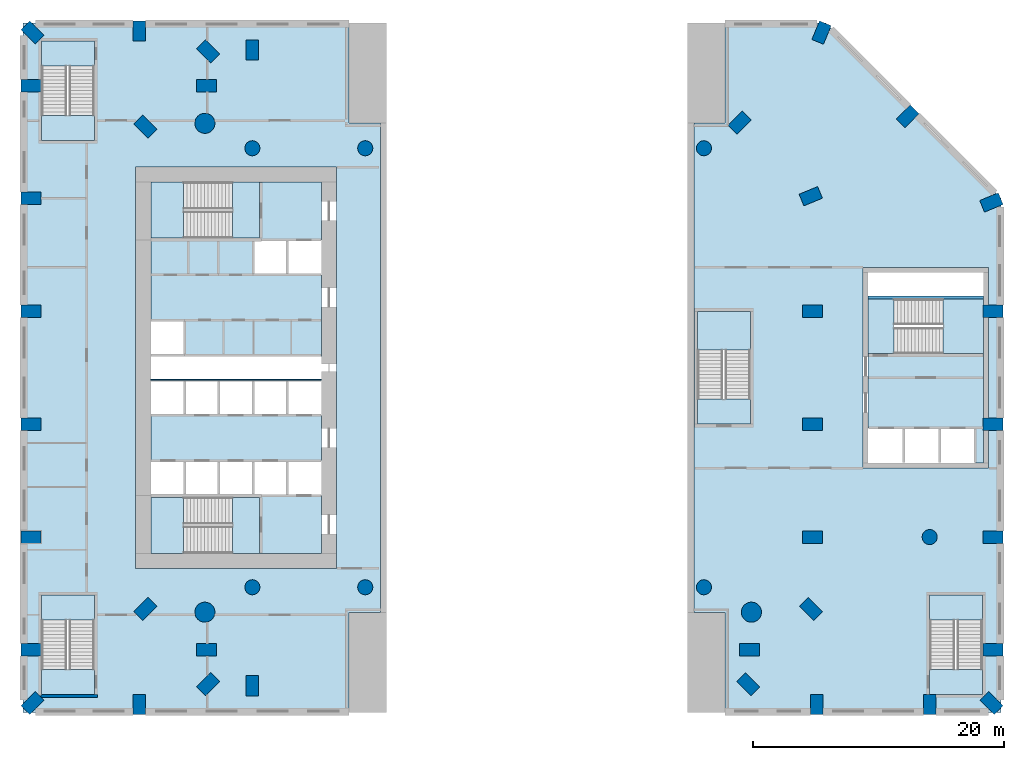
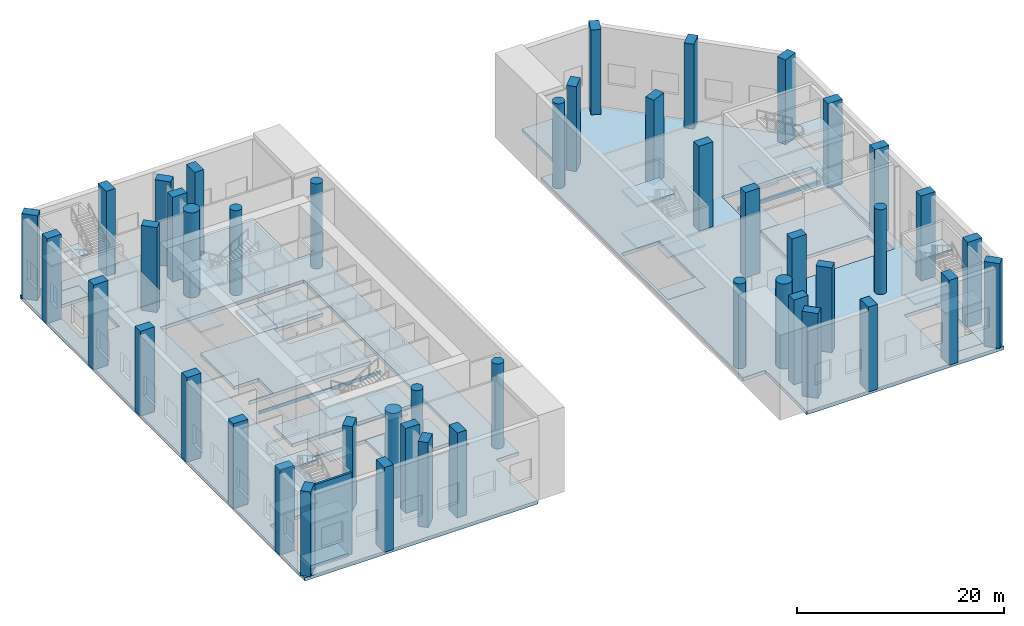
# One storey, part 1 of 16: 46 columns, 36 slabs, 1 wall, 7 elements without a shape of their own.
"""IFC4 building model written with IfcOpenShell, lengths in metres."""

from ifc_helpers import new_model, si_unit, direction, frame, frame_2d, origin, origin_2d, place, context, subcontext, project, spatial, polyline, rectangle, circle, outline, extrude, material, layer, layer_set, material_profile, profile_set, type_object, element, aggregate, save


model = new_model("IFC4")

# Units and contexts
model_context = context("Model", 3, precision=1e-05, world=origin(), true_north=direction((0.0, 1.0)))
body_context = subcontext(model_context, "Body", "Model", "MODEL_VIEW")
ifc_project = project(units=[si_unit("LENGTHUNIT", "METRE"), si_unit("AREAUNIT", "SQUARE_METRE"), si_unit("VOLUMEUNIT", "CUBIC_METRE"), si_unit("PLANEANGLEUNIT", "RADIAN"), si_unit("MASSUNIT", "GRAM", prefix="KILO")], contexts=[model_context])

# Site, building, storey
site_placement = place(None, origin())
site = spatial("IfcSite", under=ifc_project, at=site_placement, CompositionType="ELEMENT")
building_placement = place(site_placement, origin())
building = spatial("IfcBuilding", under=site, at=building_placement, Name="Cypress Arch Tower", CompositionType="ELEMENT")
storey_placement = place(building_placement, frame((0.0, 0.0, 9.0)))
storey = spatial("IfcBuildingStorey", under=building, at=storey_placement, Name="L01", CompositionType="ELEMENT", Elevation=9.0)

# Columns
ifc_material_1 = material(Name="Concrete C80/95", Category="concrete")
ifc_material_profile_1 = material_profile(ifc_material_1, circle(Radius=0.60009765625, at=origin_2d()), Name="RC D1200")
ifc_profile_set_1 = profile_set([ifc_material_profile_1], Name="Concrete C80/95")
column_type_1 = type_object("IfcColumnType", Name="Column RC D1200 Concrete C80/95", PredefinedType="COLUMN", material=ifc_profile_set_1)
for number, where, z_axis, x_axis, name in (
    (1, (-20.699951171875, -17.5, 0.0), (0.0, 0.0, 1.0), (1.0, 0.0, 0.0), "Column L01 CIC-L01-CI3S"),
    (2, (-11.699951171875, -17.5, 0.0), (0.0, 0.0, 1.0), (1.0, 0.0, 0.0), "Column L01 CIC-L01-CI4S"),
    (3, (15.300048828125, -17.5, 0.0), (0.0, 0.0, 1.0), (1.0, 0.0, 0.0), "Column L01 CIC-L01-CI7S"),
    (4, (-20.699951171875, 17.5, 0.0), (0.0, 0.0, 1.0), (1.0, 0.0, 0.0), "Column L01 CIC-L01-CI3N"),
    (5, (-11.699951171875, 17.5, 0.0), (0.0, 0.0, 1.0), (1.0, 0.0, 0.0), "Column L01 CIC-L01-CI4N"),
    (6, (15.300048828125, 17.5, 0.0), (0.0, 0.0, 1.0), (1.0, 0.0, 0.0), "Column L01 CIC-L01-CI7N"),
    (7, (33.300048828125, -13.5, 0.0), (0.0, 0.0, 1.0), (1.0, 0.0, 0.0), "Column L01 PIC-L01-01"),
):
    element("IfcColumn", number, at=place(storey_placement, frame(where, z_axis=z_axis, x_axis=x_axis)), inside=storey, type_object=column_type_1, Name=name, PredefinedType="COLUMN", context=body_context, shape_type="SweptSolid", body=[
        extrude(circle(Radius=0.60009765625, at=origin_2d()), origin(), (0.0, 0.0, 1.0), 10.0),
    ])
ifc_material_2 = material(Name="Concrete C80/95", Category="concrete")
ifc_material_profile_2 = material_profile(ifc_material_2, circle(Radius=0.800048828125, at=origin_2d()), Name="RC D1600")
ifc_profile_set_2 = profile_set([ifc_material_profile_2], Name="Concrete C80/95")
column_type_2 = type_object("IfcColumnType", Name="Mega-column RC D1600 Concrete C80/95", PredefinedType="COLUMN", material=ifc_profile_set_2)
for number, where, z_axis, x_axis, name in (
    (8, (-24.48779296875, -19.48779296875, 0.0), (0.0, 0.0, 1.0), (1.0, 0.0, 0.0), "Column L01 CA02"),
    (9, (19.087890625, -19.48779296875, 0.0), (0.0, 0.0, 1.0), (1.0, 0.0, 0.0), "Column L01 CA12"),
    (10, (-24.48779296875, 19.48779296875, 0.0), (0.0, 0.0, 1.0), (1.0, 0.0, 0.0), "Column L01 CA26"),
):
    element("IfcColumn", number, at=place(storey_placement, frame(where, z_axis=z_axis, x_axis=x_axis)), inside=storey, type_object=column_type_2, Name=name, PredefinedType="COLUMN", context=body_context, shape_type="SweptSolid", body=[
        extrude(circle(Radius=0.800048828125, at=origin_2d()), origin(), (0.0, 0.0, 1.0), 10.0),
    ])
ifc_material_3 = material(Name="Concrete C80/95", Category="concrete")
ifc_material_profile_3 = material_profile(ifc_material_3, rectangle(XDim=1.0, YDim=1.60009765625, at=origin_2d()), Name="RC 1000x1600")
ifc_profile_set_3 = profile_set([ifc_material_profile_3], Name="Concrete C80/95")
column_type_3 = type_object("IfcColumnType", Name="Podium column RC 1000x1600 Concrete C80/95", PredefinedType="COLUMN", material=ifc_profile_set_3)
for number, where, z_axis, x_axis, name in (
    (11, (-29.230712890625, 19.230712890625, 0.0), (0.0, 0.0, 1.0), (-0.707106781187, -0.707106781187, 0.0), "Column L01 CA00"),
    (12, (-29.230712890625, -19.230712890625, 0.0), (0.0, 0.0, 1.0), (0.707106781187, -0.707106781187, 0.0), "Column L01 CA01"),
    (13, (-24.35009765625, -22.5, 0.0), (0.0, 0.0, 1.0), (0.0, -1.0, 0.0), "Column L01 CA03"),
    (14, (-24.230712890625, -25.230712890625, 0.0), (0.0, 0.0, 1.0), (0.707106781187, -0.707106781187, 0.0), "Column L01 CA04"),
    (15, (-20.699951171875, -25.35009765625, 0.0), (0.0, 0.0, 1.0), (1.0, 0.0, 0.0), "Column L01 CA05"),
    (16, (18.830810546875, -25.230712890625, 0.0), (0.0, 0.0, 1.0), (0.707106781187, 0.707106781187, 0.0), "Column L01 CA10"),
    (17, (18.949951171875, -22.5, 0.0), (0.0, 0.0, 1.0), (0.0, 1.0, 0.0), "Column L01 CA11"),
    (18, (23.830810546875, -19.230712890625, 0.0), (0.0, 0.0, 1.0), (0.707106781187, 0.707106781187, 0.0), "Column L01 CA13"),
    (19, (23.949951171875, -13.5, 0.0), (0.0, 0.0, 1.0), (0.0, 1.0, 0.0), "Column L01 CA14"),
    (20, (23.949951171875, -4.5, 0.0), (0.0, 0.0, 1.0), (0.0, 1.0, 0.0), "Column L01 CA15"),
    (21, (23.949951171875, 4.5, 0.0), (0.0, 0.0, 1.0), (0.0, 1.0, 0.0), "Column L01 CA16"),
    (22, (23.819580078125, 13.6767578125, 0.0), (0.0, 0.0, 1.0), (-0.382683496864, 0.923879505795, 0.0), "Column L01 CA17"),
    (23, (18.140380859375, 19.540283203125, 0.0), (0.0, 0.0, 1.0), (-0.707106781187, 0.707106781187, 0.0), "Column L01 CA18"),
    (24, (-20.699951171875, 25.35009765625, 0.0), (0.0, 0.0, 1.0), (-1.0, 0.0, 0.0), "Column L01 CA23"),
    (25, (-24.230712890625, 25.230712890625, 0.0), (0.0, 0.0, 1.0), (-0.707106781187, -0.707106781187, 0.0), "Column L01 CA24"),
    (26, (-24.35009765625, 22.5, 0.0), (0.0, 0.0, 1.0), (0.0, -1.0, 0.0), "Column L01 CA25"),
    (27, (-38.230712890625, -26.730712890625, 0.0), (0.0, 0.0, 1.0), (0.707106781187, -0.707106781187, 0.0), "Column L01 CP00"),
    (28, (-29.699951171875, -26.85009765625, 0.0), (0.0, 0.0, 1.0), (1.0, 0.0, 0.0), "Column L01 CP01"),
    (29, (24.300048828125, -26.85009765625, 0.0), (0.0, 0.0, 1.0), (1.0, 0.0, 0.0), "Column L01 CP07"),
    (30, (33.300048828125, -26.85009765625, 0.0), (0.0, 0.0, 1.0), (1.0, 0.0, 0.0), "Column L01 CP08"),
    (31, (38.230712890625, -26.730712890625, 0.0), (0.0, 0.0, 1.0), (0.707106781187, 0.707106781187, 0.0), "Column L01 CP09"),
    (32, (38.35009765625, -22.5, 0.0), (0.0, 0.0, 1.0), (0.0, 1.0, 0.0), "Column L01 CP10"),
    (33, (38.35009765625, -13.5, 0.0), (0.0, 0.0, 1.0), (0.0, 1.0, 0.0), "Column L01 CP11"),
    (34, (38.35009765625, -4.5, 0.0), (0.0, 0.0, 1.0), (0.0, 1.0, 0.0), "Column L01 CP12"),
    (35, (38.35009765625, 4.5, 0.0), (0.0, 0.0, 1.0), (0.0, 1.0, 0.0), "Column L01 CP13"),
    (36, (38.219482421875, 13.1767578125, 0.0), (0.0, 0.0, 1.0), (-0.382683496864, 0.923879505795, 0.0), "Column L01 CP14"),
    (37, (31.540283203125, 20.040283203125, 0.0), (0.0, 0.0, 1.0), (-0.707106781187, 0.707106781187, 0.0), "Column L01 CP15"),
    (38, (24.6767578125, 26.719482421875, 0.0), (0.0, 0.0, 1.0), (-0.923879505795, 0.382683496864, 0.0), "Column L01 CP16"),
    (39, (-29.699951171875, 26.85009765625, 0.0), (0.0, 0.0, 1.0), (-1.0, 0.0, 0.0), "Column L01 CP22"),
    (40, (-38.230712890625, 26.730712890625, 0.0), (0.0, 0.0, 1.0), (-0.707106781187, -0.707106781187, 0.0), "Column L01 CP23"),
    (41, (-38.35009765625, 22.5, 0.0), (0.0, 0.0, 1.0), (0.0, -1.0, 0.0), "Column L01 CP24"),
    (42, (-38.35009765625, 13.5, 0.0), (0.0, 0.0, 1.0), (0.0, -1.0, 0.0), "Column L01 CP25"),
    (43, (-38.35009765625, 4.5, 0.0), (0.0, 0.0, 1.0), (0.0, -1.0, 0.0), "Column L01 CP26"),
    (44, (-38.35009765625, -4.5, 0.0), (0.0, 0.0, 1.0), (0.0, -1.0, 0.0), "Column L01 CP27"),
    (45, (-38.35009765625, -13.5, 0.0), (0.0, 0.0, 1.0), (0.0, -1.0, 0.0), "Column L01 CP28"),
    (46, (-38.35009765625, -22.5, 0.0), (0.0, 0.0, 1.0), (0.0, -1.0, 0.0), "Column L01 CP29"),
):
    element("IfcColumn", number, at=place(storey_placement, frame(where, z_axis=z_axis, x_axis=x_axis)), inside=storey, type_object=column_type_3, Name=name, PredefinedType="COLUMN", context=body_context, shape_type="SweptSolid", body=[
        extrude(rectangle(XDim=1.0, YDim=1.60009765625, at=origin_2d()), origin(), (0.0, 0.0, 1.0), 10.0),
    ])

# Slabs
ifc_material_4 = material(Name="Concrete C40/50", Category="concrete")
ifc_layer_1 = layer(ifc_material_4, 0.39990234375)
ifc_layer_set_1 = layer_set([ifc_layer_1], Name="Core floor CF400")
slab_type_1 = type_object("IfcSlabType", Name="Core floor CF400", PredefinedType="FLOOR", material=ifc_layer_set_1)
slab_1_placement = place(storey_placement, frame((0.0, 0.0, -0.39990234375)))
element("IfcSlab", 47, at=slab_1_placement, inside=storey, type_object=slab_type_1, Name="Stair floor landing", PredefinedType="FLOOR", context=body_context, shape_type="SweptSolid", body=[
    extrude(outline(polyline([(19.0, -4.5), (19.0, -2.5), (14.800048828125, -2.5), (14.800048828125, -4.5), (19.0, -4.5)])), origin(), (0.0, 0.0, 1.0), 0.39990234375),
])
slab_2_placement = place(storey_placement, frame((0.0, 0.0, -0.39990234375)))
element("IfcSlab", 48, at=slab_2_placement, inside=storey, type_object=slab_type_1, Name="Stair floor landing", PredefinedType="FLOOR", context=body_context, shape_type="SweptSolid", body=[
    extrude(outline(polyline([(-33.300048828125, -26.050048828125), (-33.300048828125, -24.050048828125), (-37.5, -24.050048828125), (-37.5, -26.050048828125), (-33.300048828125, -26.050048828125)])), origin(), (0.0, 0.0, 1.0), 0.39990234375),
])
slab_3_placement = place(storey_placement, frame((0.0, 0.0, -0.39990234375)))
element("IfcSlab", 49, at=slab_3_placement, inside=storey, type_object=slab_type_1, Name="Stair floor landing", PredefinedType="FLOOR", context=body_context, shape_type="SweptSolid", body=[
    extrude(outline(polyline([(-37.5, 26.050048828125), (-37.5, 24.050048828125), (-33.300048828125, 24.050048828125), (-33.300048828125, 26.050048828125), (-37.5, 26.050048828125)])), origin(), (0.0, 0.0, 1.0), 0.39990234375),
])
slab_4_placement = place(storey_placement, frame((0.0, 0.0, -0.39990234375)))
element("IfcSlab", 50, at=slab_4_placement, inside=storey, type_object=slab_type_1, Name="Stair floor landing", PredefinedType="FLOOR", context=body_context, shape_type="SweptSolid", body=[
    extrude(outline(polyline([(37.5, -26.050048828125), (37.5, -24.050048828125), (33.300048828125, -24.050048828125), (33.300048828125, -26.050048828125), (37.5, -26.050048828125)])), origin(), (0.0, 0.0, 1.0), 0.39990234375),
])
ifc_material_5 = material(Name="Concrete C40/50", Category="concrete")
ifc_layer_2 = layer(ifc_material_5, 0.402099609375)
ifc_layer_set_2 = layer_set([ifc_layer_2], Name="Core floor CF402")
slab_type_2 = type_object("IfcSlabType", Name="Core floor CF402", PredefinedType="FLOOR", material=ifc_layer_set_2)
slab_5_placement = place(storey_placement, frame((0.0, 0.0, -0.402099609375)))
element("IfcSlab", 51, at=slab_5_placement, inside=storey, type_object=slab_type_2, Name="Core floor", PredefinedType="FLOOR", context=body_context, shape_type="SweptSolid", body=[
    extrude(outline(polyline([(-20.125, -14.800048828125), (-15.199951171875, -14.800048828125), (-15.199951171875, -10.199951171875), (-17.919921875, -10.199951171875), (-20.639892578125, -10.199951171875), (-23.360107421875, -10.199951171875), (-26.080078125, -10.199951171875), (-28.800048828125, -10.199951171875), (-28.800048828125, -10.324951171875), (-22.27490234375, -10.324951171875), (-20.125, -10.324951171875), (-20.125, -14.800048828125)])), origin(), (0.0, 0.0, 1.0), 0.402099609375),
])
slab_6_placement = place(storey_placement, frame((0.0, 0.0, -0.402099609375)))
element("IfcSlab", 52, at=slab_6_placement, inside=storey, type_object=slab_type_2, Name="Core floor", PredefinedType="FLOOR", context=body_context, shape_type="SweptSolid", body=[
    extrude(outline(polyline([(-28.800048828125, -3.800048828125), (-28.800048828125, -7.39990234375), (-26.080078125, -7.39990234375), (-23.360107421875, -7.39990234375), (-20.639892578125, -7.39990234375), (-17.919921875, -7.39990234375), (-15.199951171875, -7.39990234375), (-15.199951171875, -3.800048828125), (-17.919921875, -3.800048828125), (-20.639892578125, -3.800048828125), (-23.360107421875, -3.800048828125), (-26.080078125, -3.800048828125), (-28.800048828125, -3.800048828125)])), origin(), (0.0, 0.0, 1.0), 0.402099609375),
])
slab_7_placement = place(storey_placement, frame((0.0, 0.0, -0.402099609375)))
element("IfcSlab", 53, at=slab_7_placement, inside=storey, type_object=slab_type_2, Name="Core floor", PredefinedType="FLOOR", context=body_context, shape_type="SweptSolid", body=[
    extrude(outline(polyline([(-28.800048828125, 3.800048828125), (-28.800048828125, 10.199951171875), (-28.800048828125, 10.324951171875), (-28.39990234375, 10.324951171875), (-22.27490234375, 10.324951171875), (-20.125, 10.324951171875), (-20.125, 14.800048828125), (-15.60009765625, 14.800048828125), (-15.199951171875, 14.800048828125), (-15.199951171875, 10.199951171875), (-15.60009765625, 10.199951171875), (-17.919921875, 10.199951171875), (-20.639892578125, 10.199951171875), (-20.639892578125, 7.39990234375), (-17.919921875, 7.39990234375), (-15.60009765625, 7.39990234375), (-15.199951171875, 7.39990234375), (-15.199951171875, 0.89990234375), (-15.60009765625, 0.89990234375), (-28.39990234375, 0.89990234375), (-28.800048828125, 0.89990234375), (-28.800048828125, 1.0), (-28.39990234375, 1.0), (-26.080078125, 1.0), (-26.080078125, 3.800048828125), (-28.39990234375, 3.800048828125), (-28.800048828125, 3.800048828125)])), origin(), (0.0, 0.0, 1.0), 0.402099609375),
])
slab_8_placement = place(storey_placement, frame((0.0, 0.0, -0.402099609375)))
element("IfcSlab", 54, at=slab_8_placement, inside=storey, type_object=slab_type_2, Name="Core floor", PredefinedType="FLOOR", context=body_context, shape_type="SweptSolid", body=[
    extrude(outline(polyline([(-22.27490234375, -10.324951171875), (-22.27490234375, -14.800048828125), (-20.125, -14.800048828125), (-20.125, -10.324951171875), (-22.27490234375, -10.324951171875)])), origin(), (0.0, 0.0, 1.0), 0.402099609375),
])
slab_9_placement = place(storey_placement, frame((0.0, 0.0, -0.402099609375)))
element("IfcSlab", 55, at=slab_9_placement, inside=storey, type_object=slab_type_2, Name="Core floor", PredefinedType="FLOOR", context=body_context, shape_type="SweptSolid", body=[
    extrude(outline(polyline([(-20.125, 14.800048828125), (-22.27490234375, 14.800048828125), (-22.27490234375, 10.324951171875), (-20.125, 10.324951171875), (-20.125, 14.800048828125)])), origin(), (0.0, 0.0, 1.0), 0.402099609375),
])
slab_10_placement = place(storey_placement, frame((0.0, 0.0, -0.402099609375)))
element("IfcSlab", 56, at=slab_10_placement, inside=storey, type_object=slab_type_2, Name="East core floor", PredefinedType="FLOOR", context=body_context, shape_type="SweptSolid", body=[
    extrude(outline(polyline([(37.60009765625, -7.60009765625), (37.60009765625, 1.125), (30.449951171875, 1.125), (28.39990234375, 1.125), (28.39990234375, -4.800048828125), (31.25, -4.800048828125), (34.10009765625, -4.800048828125), (36.949951171875, -4.800048828125), (36.949951171875, -7.60009765625), (37.60009765625, -7.60009765625)])), origin(), (0.0, 0.0, 1.0), 0.402099609375),
])
slab_11_placement = place(storey_placement, frame((0.0, 0.0, -0.402099609375)))
element("IfcSlab", 57, at=slab_11_placement, inside=storey, type_object=slab_type_2, Name="East core floor", PredefinedType="FLOOR", context=body_context, shape_type="SweptSolid", body=[
    extrude(outline(polyline([(30.449951171875, 5.47509765625), (28.800048828125, 5.47509765625), (28.39990234375, 5.47509765625), (28.39990234375, 5.72509765625), (28.800048828125, 5.72509765625), (37.199951171875, 5.72509765625), (37.60009765625, 5.72509765625), (37.60009765625, 5.47509765625), (37.199951171875, 5.47509765625), (30.449951171875, 5.47509765625)])), origin(), (0.0, 0.0, 1.0), 0.402099609375),
])
slab_12_placement = place(storey_placement, frame((0.0, 0.0, -0.402099609375)))
element("IfcSlab", 58, at=slab_12_placement, inside=storey, type_object=slab_type_2, Name="East core floor", PredefinedType="FLOOR", context=body_context, shape_type="SweptSolid", body=[
    extrude(outline(polyline([(30.449951171875, 5.47509765625), (28.39990234375, 5.47509765625), (28.39990234375, 1.125), (30.449951171875, 1.125), (30.449951171875, 5.47509765625)])), origin(), (0.0, 0.0, 1.0), 0.402099609375),
])
slab_13_placement = place(storey_placement, frame((0.0, 0.0, -0.402099609375)))
element("IfcSlab", 59, at=slab_13_placement, inside=storey, type_object=slab_type_2, Name="Core floor", PredefinedType="FLOOR", context=body_context, shape_type="SweptSolid", body=[
    extrude(outline(polyline([(-20.639892578125, -1.0), (-23.360107421875, -1.0), (-26.080078125, -1.0), (-28.39990234375, -1.0), (-28.800048828125, -1.0), (-28.800048828125, -0.89990234375), (-28.39990234375, -0.89990234375), (-15.60009765625, -0.89990234375), (-15.199951171875, -0.89990234375), (-15.199951171875, -1.0), (-15.60009765625, -1.0), (-17.919921875, -1.0), (-20.639892578125, -1.0)])), origin(), (0.0, 0.0, 1.0), 0.402099609375),
])
ifc_material_6 = material(Name="Concrete C40/50", Category="concrete")
ifc_layer_3 = layer(ifc_material_6, 0.39990234375)
ifc_layer_set_3 = layer_set([ifc_layer_3], Name="Podium flat slab 400 Concrete C40/50")
slab_type_3 = type_object("IfcSlabType", Name="Podium flat slab 400 Concrete C40/50", PredefinedType="FLOOR", material=ifc_layer_set_3)
slab_14_placement = place(storey_placement, frame((0.0, 0.0, -0.39990234375)))
element("IfcSlab", 60, at=slab_14_placement, inside=storey, type_object=slab_type_3, Name="Floor slab L01", PredefinedType="FLOOR", context=body_context, shape_type="SweptSolid", body=[
    extrude(outline(polyline([(-39.0, -27.5), (-39.0, 27.5), (-13.0, 27.5), (-13.0, 19.5), (-10.5, 19.5), (-10.5, -19.5), (-13.0, -19.5), (-13.0, -27.5), (-39.0, -27.5)]), holes=[polyline([(-33.300048828125, -18.1298828125), (-37.5, -18.1298828125), (-37.5, -26.050048828125), (-33.300048828125, -26.050048828125), (-33.300048828125, -18.1298828125)]), polyline([(-14.0, 16.0), (-30.0, 16.0), (-30.0, -16.0), (-14.0, -16.0), (-14.0, 16.0)]), polyline([(-37.5, 18.1298828125), (-33.300048828125, 18.1298828125), (-33.300048828125, 26.050048828125), (-37.5, 26.050048828125), (-37.5, 18.1298828125)])]), origin(), (0.0, 0.0, 1.0), 0.39990234375),
])
slab_15_placement = place(storey_placement, frame((0.0, 0.0, -0.39990234375)))
element("IfcSlab", 61, at=slab_15_placement, inside=storey, type_object=slab_type_3, Name="Floor slab L01", PredefinedType="FLOOR", context=body_context, shape_type="SweptSolid", body=[
    extrude(outline(polyline([(25.0, 27.5), (39.0, 13.5), (39.0, -27.5), (17.0, -27.5), (17.0, -19.5), (14.5, -19.5), (14.5, 19.5), (17.0, 19.5), (17.0, 27.5), (25.0, 27.5)]), holes=[polyline([(37.5, -18.1298828125), (33.300048828125, -18.1298828125), (33.300048828125, -26.050048828125), (37.5, -26.050048828125), (37.5, -18.1298828125)]), polyline([(19.0, 4.5), (14.800048828125, 4.5), (14.800048828125, -4.5), (19.0, -4.5), (19.0, 4.5)]), polyline([(38.0, 8.0), (28.0, 8.0), (28.0, -8.0), (38.0, -8.0), (38.0, 8.0)])]), origin(), (0.0, 0.0, 1.0), 0.39990234375),
])

# Stair, slabs
ifc_material_7 = material(Name="Concrete C40/50", Category="concrete")
stair_type_1 = type_object("IfcStairType", Name="Exit stair ES1667-215", PredefinedType="HALF_TURN_STAIR", material=ifc_material_7)
stair_1_placement = place(storey_placement, origin())
stair_1 = element("IfcStair", 62, at=stair_1_placement, inside=storey, type_object=stair_type_1, Name="L01 Exit stair A", PredefinedType="HALF_TURN_STAIR")
ifc_material_8 = material(Name="Concrete C40/50", Category="concrete")
ifc_layer_4 = layer(ifc_material_8, 0.199951171875)
ifc_layer_set_4 = layer_set([ifc_layer_4], Name="Stair landing SL200")
slab_type_4 = type_object("IfcSlabType", Name="Stair landing SL200", PredefinedType="LANDING", material=ifc_layer_set_4)
slab_16_placement = place(storey_placement, frame((0.0, 0.0, 2.300048828125)))
slab_16 = element("IfcSlab", 63, at=slab_16_placement, type_object=slab_type_4, Name="A landing 1", PredefinedType="LANDING", context=body_context, shape_type="SweptSolid", body=[
    extrude(outline(polyline([(-26.195068359375, -10.324951171875), (-28.800048828125, -10.324951171875), (-28.800048828125, -14.800048828125), (-26.195068359375, -14.800048828125), (-26.195068359375, -10.324951171875)])), origin(), (0.0, 0.0, 1.0), 0.199951171875),
])
slab_17_placement = place(storey_placement, frame((0.0, 0.0, 4.800048828125)))
slab_17 = element("IfcSlab", 64, at=slab_17_placement, type_object=slab_type_4, Name="A landing 2", PredefinedType="LANDING", context=body_context, shape_type="SweptSolid", body=[
    extrude(outline(polyline([(-20.125, -10.324951171875), (-22.27490234375, -10.324951171875), (-22.27490234375, -14.800048828125), (-20.125, -14.800048828125), (-20.125, -10.324951171875)])), origin(), (0.0, 0.0, 1.0), 0.199951171875),
])
slab_18_placement = place(storey_placement, frame((0.0, 0.0, 7.300048828125)))
slab_18 = element("IfcSlab", 65, at=slab_18_placement, type_object=slab_type_4, Name="A landing 3", PredefinedType="LANDING", context=body_context, shape_type="SweptSolid", body=[
    extrude(outline(polyline([(-26.195068359375, -10.324951171875), (-28.800048828125, -10.324951171875), (-28.800048828125, -14.800048828125), (-26.195068359375, -14.800048828125), (-26.195068359375, -10.324951171875)])), origin(), (0.0, 0.0, 1.0), 0.199951171875),
])
aggregate(stair_1, [slab_16, slab_17, slab_18])

stair_2_placement = place(storey_placement, origin())
stair_2 = element("IfcStair", 66, at=stair_2_placement, inside=storey, type_object=stair_type_1, Name="L01 Exit stair B", PredefinedType="HALF_TURN_STAIR")
slab_19_placement = place(storey_placement, frame((0.0, 0.0, 2.300048828125)))
slab_19 = element("IfcSlab", 67, at=slab_19_placement, type_object=slab_type_4, Name="B landing 1", PredefinedType="LANDING", context=body_context, shape_type="SweptSolid", body=[
    extrude(outline(polyline([(-26.195068359375, 14.800048828125), (-28.800048828125, 14.800048828125), (-28.800048828125, 10.324951171875), (-26.195068359375, 10.324951171875), (-26.195068359375, 14.800048828125)])), origin(), (0.0, 0.0, 1.0), 0.199951171875),
])
slab_20_placement = place(storey_placement, frame((0.0, 0.0, 4.800048828125)))
slab_20 = element("IfcSlab", 68, at=slab_20_placement, type_object=slab_type_4, Name="B landing 2", PredefinedType="LANDING", context=body_context, shape_type="SweptSolid", body=[
    extrude(outline(polyline([(-20.125, 14.800048828125), (-22.27490234375, 14.800048828125), (-22.27490234375, 10.324951171875), (-20.125, 10.324951171875), (-20.125, 14.800048828125)])), origin(), (0.0, 0.0, 1.0), 0.199951171875),
])
slab_21_placement = place(storey_placement, frame((0.0, 0.0, 7.300048828125)))
slab_21 = element("IfcSlab", 69, at=slab_21_placement, type_object=slab_type_4, Name="B landing 3", PredefinedType="LANDING", context=body_context, shape_type="SweptSolid", body=[
    extrude(outline(polyline([(-26.195068359375, 14.800048828125), (-28.800048828125, 14.800048828125), (-28.800048828125, 10.324951171875), (-26.195068359375, 10.324951171875), (-26.195068359375, 14.800048828125)])), origin(), (0.0, 0.0, 1.0), 0.199951171875),
])
aggregate(stair_2, [slab_19, slab_20, slab_21])

ifc_material_9 = material(Name="Concrete C40/50", Category="concrete")
stair_type_2 = type_object("IfcStairType", Name="Exit stair ES1667-200", PredefinedType="HALF_TURN_STAIR", material=ifc_material_9)
stair_3_placement = place(storey_placement, origin())
stair_3 = element("IfcStair", 70, at=stair_3_placement, inside=storey, type_object=stair_type_2, Name="L01 Exit stair C", PredefinedType="HALF_TURN_STAIR")
slab_22_placement = place(storey_placement, frame((0.0, 0.0, 2.300048828125)))
slab_22 = element("IfcSlab", 71, at=slab_22_placement, type_object=slab_type_4, Name="C landing 1", PredefinedType="LANDING", context=body_context, shape_type="SweptSolid", body=[
    extrude(outline(polyline([(19.0, 1.419921875), (19.0, 4.5), (14.800048828125, 4.5), (14.800048828125, 1.419921875), (19.0, 1.419921875)])), origin(), (0.0, 0.0, 1.0), 0.199951171875),
])
slab_23_placement = place(storey_placement, frame((0.0, 0.0, 4.800048828125)))
slab_23 = element("IfcSlab", 72, at=slab_23_placement, type_object=slab_type_4, Name="C landing 2", PredefinedType="LANDING", context=body_context, shape_type="SweptSolid", body=[
    extrude(outline(polyline([(19.0, -4.5), (19.0, -2.5), (14.800048828125, -2.5), (14.800048828125, -4.5), (19.0, -4.5)])), origin(), (0.0, 0.0, 1.0), 0.199951171875),
])
slab_24_placement = place(storey_placement, frame((0.0, 0.0, 7.300048828125)))
slab_24 = element("IfcSlab", 73, at=slab_24_placement, type_object=slab_type_4, Name="C landing 3", PredefinedType="LANDING", context=body_context, shape_type="SweptSolid", body=[
    extrude(outline(polyline([(19.0, 1.419921875), (19.0, 4.5), (14.800048828125, 4.5), (14.800048828125, 1.419921875), (19.0, 1.419921875)])), origin(), (0.0, 0.0, 1.0), 0.199951171875),
])
aggregate(stair_3, [slab_22, slab_23, slab_24])

stair_4_placement = place(storey_placement, origin())
stair_4 = element("IfcStair", 74, at=stair_4_placement, inside=storey, type_object=stair_type_2, Name="L01 Exit stair P1", PredefinedType="HALF_TURN_STAIR")
slab_25_placement = place(storey_placement, frame((0.0, 0.0, 2.300048828125)))
slab_25 = element("IfcSlab", 75, at=slab_25_placement, type_object=slab_type_4, Name="P1 landing 1", PredefinedType="LANDING", context=body_context, shape_type="SweptSolid", body=[
    extrude(outline(polyline([(-33.300048828125, -20.1298828125), (-33.300048828125, -18.1298828125), (-37.5, -18.1298828125), (-37.5, -20.1298828125), (-33.300048828125, -20.1298828125)])), origin(), (0.0, 0.0, 1.0), 0.199951171875),
])
slab_26_placement = place(storey_placement, frame((0.0, 0.0, 4.800048828125)))
slab_26 = element("IfcSlab", 76, at=slab_26_placement, type_object=slab_type_4, Name="P1 landing 2", PredefinedType="LANDING", context=body_context, shape_type="SweptSolid", body=[
    extrude(outline(polyline([(-33.300048828125, -26.050048828125), (-33.300048828125, -24.050048828125), (-37.5, -24.050048828125), (-37.5, -26.050048828125), (-33.300048828125, -26.050048828125)])), origin(), (0.0, 0.0, 1.0), 0.199951171875),
])
slab_27_placement = place(storey_placement, frame((0.0, 0.0, 7.300048828125)))
slab_27 = element("IfcSlab", 77, at=slab_27_placement, type_object=slab_type_4, Name="P1 landing 3", PredefinedType="LANDING", context=body_context, shape_type="SweptSolid", body=[
    extrude(outline(polyline([(-33.300048828125, -20.1298828125), (-33.300048828125, -18.1298828125), (-37.5, -18.1298828125), (-37.5, -20.1298828125), (-33.300048828125, -20.1298828125)])), origin(), (0.0, 0.0, 1.0), 0.199951171875),
])
aggregate(stair_4, [slab_25, slab_26, slab_27])

stair_5_placement = place(storey_placement, origin())
stair_5 = element("IfcStair", 78, at=stair_5_placement, inside=storey, type_object=stair_type_2, Name="L01 Exit stair P2", PredefinedType="HALF_TURN_STAIR")
slab_28_placement = place(storey_placement, frame((0.0, 0.0, 2.300048828125)))
slab_28 = element("IfcSlab", 79, at=slab_28_placement, type_object=slab_type_4, Name="P2 landing 1", PredefinedType="LANDING", context=body_context, shape_type="SweptSolid", body=[
    extrude(outline(polyline([(-37.5, 20.1298828125), (-37.5, 18.1298828125), (-33.300048828125, 18.1298828125), (-33.300048828125, 20.1298828125), (-37.5, 20.1298828125)])), origin(), (0.0, 0.0, 1.0), 0.199951171875),
])
slab_29_placement = place(storey_placement, frame((0.0, 0.0, 4.800048828125)))
slab_29 = element("IfcSlab", 80, at=slab_29_placement, type_object=slab_type_4, Name="P2 landing 2", PredefinedType="LANDING", context=body_context, shape_type="SweptSolid", body=[
    extrude(outline(polyline([(-37.5, 26.050048828125), (-37.5, 24.050048828125), (-33.300048828125, 24.050048828125), (-33.300048828125, 26.050048828125), (-37.5, 26.050048828125)])), origin(), (0.0, 0.0, 1.0), 0.199951171875),
])
slab_30_placement = place(storey_placement, frame((0.0, 0.0, 7.300048828125)))
slab_30 = element("IfcSlab", 81, at=slab_30_placement, type_object=slab_type_4, Name="P2 landing 3", PredefinedType="LANDING", context=body_context, shape_type="SweptSolid", body=[
    extrude(outline(polyline([(-37.5, 20.1298828125), (-37.5, 18.1298828125), (-33.300048828125, 18.1298828125), (-33.300048828125, 20.1298828125), (-37.5, 20.1298828125)])), origin(), (0.0, 0.0, 1.0), 0.199951171875),
])
aggregate(stair_5, [slab_28, slab_29, slab_30])

ifc_material_10 = material(Name="Concrete C40/50", Category="concrete")
stair_type_3 = type_object("IfcStairType", Name="Exit stair ES1667-205", PredefinedType="HALF_TURN_STAIR", material=ifc_material_10)
stair_6_placement = place(storey_placement, origin())
stair_6 = element("IfcStair", 82, at=stair_6_placement, inside=storey, type_object=stair_type_3, Name="L01 Exit stair P3", PredefinedType="HALF_TURN_STAIR")
slab_31_placement = place(storey_placement, frame((0.0, 0.0, 2.300048828125)))
slab_31 = element("IfcSlab", 83, at=slab_31_placement, type_object=slab_type_4, Name="P3 landing 1", PredefinedType="LANDING", context=body_context, shape_type="SweptSolid", body=[
    extrude(outline(polyline([(34.3701171875, 1.125), (37.60009765625, 1.125), (37.60009765625, 5.47509765625), (34.3701171875, 5.47509765625), (34.3701171875, 1.125)])), origin(), (0.0, 0.0, 1.0), 0.199951171875),
])
slab_32_placement = place(storey_placement, frame((0.0, 0.0, 4.800048828125)))
slab_32 = element("IfcSlab", 84, at=slab_32_placement, type_object=slab_type_4, Name="P3 landing 2", PredefinedType="LANDING", context=body_context, shape_type="SweptSolid", body=[
    extrude(outline(polyline([(28.39990234375, 1.125), (30.449951171875, 1.125), (30.449951171875, 5.47509765625), (28.39990234375, 5.47509765625), (28.39990234375, 1.125)])), origin(), (0.0, 0.0, 1.0), 0.199951171875),
])
slab_33_placement = place(storey_placement, frame((0.0, 0.0, 7.300048828125)))
slab_33 = element("IfcSlab", 85, at=slab_33_placement, type_object=slab_type_4, Name="P3 landing 3", PredefinedType="LANDING", context=body_context, shape_type="SweptSolid", body=[
    extrude(outline(polyline([(34.3701171875, 1.125), (37.60009765625, 1.125), (37.60009765625, 5.47509765625), (34.3701171875, 5.47509765625), (34.3701171875, 1.125)])), origin(), (0.0, 0.0, 1.0), 0.199951171875),
])
aggregate(stair_6, [slab_31, slab_32, slab_33])

stair_7_placement = place(storey_placement, origin())
stair_7 = element("IfcStair", 86, at=stair_7_placement, inside=storey, type_object=stair_type_2, Name="L01 Exit stair P4", PredefinedType="HALF_TURN_STAIR")
slab_34_placement = place(storey_placement, frame((0.0, 0.0, 2.300048828125)))
slab_34 = element("IfcSlab", 87, at=slab_34_placement, type_object=slab_type_4, Name="P4 landing 1", PredefinedType="LANDING", context=body_context, shape_type="SweptSolid", body=[
    extrude(outline(polyline([(37.5, -20.1298828125), (37.5, -18.1298828125), (33.300048828125, -18.1298828125), (33.300048828125, -20.1298828125), (37.5, -20.1298828125)])), origin(), (0.0, 0.0, 1.0), 0.199951171875),
])
slab_35_placement = place(storey_placement, frame((0.0, 0.0, 4.800048828125)))
slab_35 = element("IfcSlab", 88, at=slab_35_placement, type_object=slab_type_4, Name="P4 landing 2", PredefinedType="LANDING", context=body_context, shape_type="SweptSolid", body=[
    extrude(outline(polyline([(37.5, -26.050048828125), (37.5, -24.050048828125), (33.300048828125, -24.050048828125), (33.300048828125, -26.050048828125), (37.5, -26.050048828125)])), origin(), (0.0, 0.0, 1.0), 0.199951171875),
])
slab_36_placement = place(storey_placement, frame((0.0, 0.0, 7.300048828125)))
slab_36 = element("IfcSlab", 89, at=slab_36_placement, type_object=slab_type_4, Name="P4 landing 3", PredefinedType="LANDING", context=body_context, shape_type="SweptSolid", body=[
    extrude(outline(polyline([(37.5, -20.1298828125), (37.5, -18.1298828125), (33.300048828125, -18.1298828125), (33.300048828125, -20.1298828125), (37.5, -20.1298828125)])), origin(), (0.0, 0.0, 1.0), 0.199951171875),
])
aggregate(stair_7, [slab_34, slab_35, slab_36])

# Wall
ifc_material_11 = material(Name="Concrete C50/60", Category="concrete")
ifc_layer_5 = layer(ifc_material_11, 0.25)
ifc_layer_set_5 = layer_set([ifc_layer_5], Name="Stair enclosure wall SW250")
wall_type = type_object("IfcWallType", Name="Stair enclosure wall SW250", PredefinedType="SHEAR", material=ifc_layer_set_5)
wall_placement = place(storey_placement, frame((-37.545166015625, -26.175048828125, 0.0), z_axis=(0.0, 0.0, 1.0), x_axis=(1.0, 0.0, 0.0)))
element("IfcWall", 90, at=wall_placement, inside=storey, type_object=wall_type, Name="Stair enclosure wall", PredefinedType="SHEAR", context=body_context, shape_type="SweptSolid", body=[
    extrude(rectangle(XDim=4.4951171875, YDim=0.25, at=frame_2d((2.24755859375, 0.0))), origin(), (0.0, 0.0, 1.0), 9.60009765625),
])

save(model, "model.ifc")
